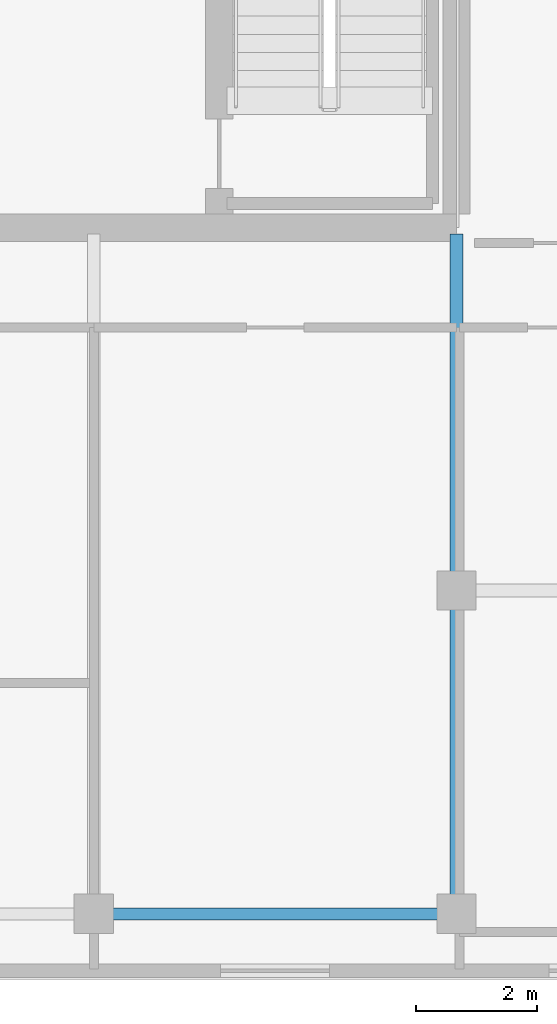
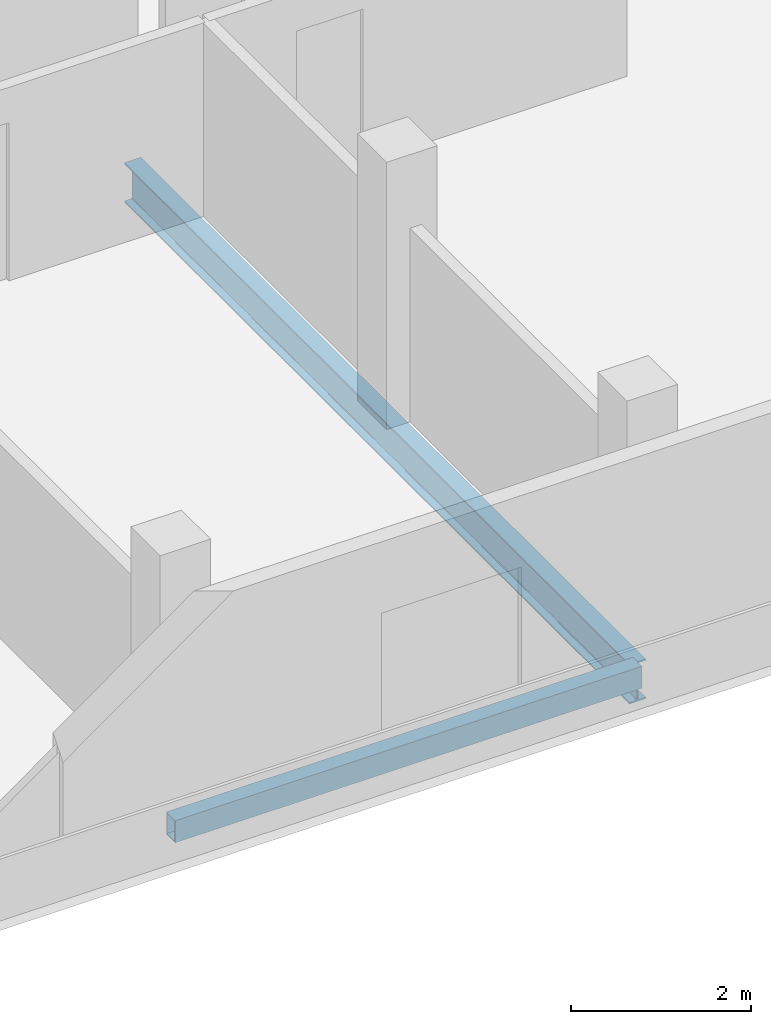
# One storey, part 15 of 28: 2 beams.
"""IFC4 building model written with IfcOpenShell, lengths in metres."""

from ifc_helpers import new_model, si_unit, direction, frame, origin, origin_2d, place, context, subcontext, project, spatial, hollow_rectangle, i_section, extrude, material, material_profile, profile_set, type_object, element, save


model = new_model("IFC4")

# Units and contexts
model_context = context("Model", 3, precision=1e-05, world=origin(), true_north=direction((0.0, 1.0)))
body_context = subcontext(model_context, "Body", "Model", "MODEL_VIEW")
ifc_project = project(units=[si_unit("LENGTHUNIT", "METRE"), si_unit("AREAUNIT", "SQUARE_METRE"), si_unit("VOLUMEUNIT", "CUBIC_METRE"), si_unit("PLANEANGLEUNIT", "RADIAN"), si_unit("MASSUNIT", "GRAM", prefix="KILO")], contexts=[model_context])

# Site, building, storey
site_placement = place(None, origin())
site = spatial("IfcSite", under=ifc_project, at=site_placement, CompositionType="ELEMENT")
building_placement = place(site_placement, origin())
building = spatial("IfcBuilding", under=site, at=building_placement, Name="Tanjung Sevakor Pilgrim Tower", CompositionType="ELEMENT")
storey_placement = place(building_placement, frame((0.0, 0.0, 246.179931640625)))
storey = spatial("IfcBuildingStorey", under=building, at=storey_placement, Name="L69", CompositionType="ELEMENT", Elevation=246.179931640625)

# Beams
ifc_material_1 = material(Name="Steel S355J2", Category="steel")
ifc_material_profile_1 = material_profile(ifc_material_1, i_section(OverallWidth=0.210693359375, OverallDepth=0.53955078125, WebThickness=0.01171875, FlangeThickness=0.018798828125, FilletRadius=0.0126953125, at=origin_2d()))
ifc_profile_set_1 = profile_set([ifc_material_profile_1], Name="Steel S355J2")
beam_type_1 = type_object("IfcBeamType", Name="BM-B-G6-UB_533x210x109", PredefinedType="BEAM", material=ifc_profile_set_1)
beam_1_placement = place(storey_placement, frame((90.0, 13.25, -0.48974609375), z_axis=(0.0, 1.0, 0.0), x_axis=(-1.0, 0.0, 0.0)))
element("IfcBeam", 1, at=beam_1_placement, inside=storey, type_object=beam_type_1, Name="L69 EAST Girder 009", PredefinedType="BEAM", context=body_context, shape_type="SweptSolid", body=[
    extrude(i_section(OverallWidth=0.210693359375, OverallDepth=0.53955078125, WebThickness=0.01171875, FlangeThickness=0.018798828125, FilletRadius=0.0126953125, at=origin_2d()), origin(), (0.0, 0.0, 1.0), 11.243896484375),
])
ifc_material_2 = material(Name="Steel S355J2", Category="steel")
ifc_material_profile_2 = material_profile(ifc_material_2, hollow_rectangle(XDim=0.199951171875, YDim=0.300048828125, WallThickness=0.012451171875, at=origin_2d()))
ifc_profile_set_2 = profile_set([ifc_material_profile_2], Name="Steel S355J2")
beam_type_2 = type_object("IfcBeamType", Name="BM-B-SP3-RHS_300x200x12.5", PredefinedType="SPANDREL", material=ifc_profile_set_2)
beam_2_placement = place(storey_placement, frame((84.0, 13.25, -0.369873046875), z_axis=(1.0, 0.0, 0.0), x_axis=(0.0, 1.0, 0.0)))
element("IfcBeam", 2, at=beam_2_placement, inside=storey, type_object=beam_type_2, Name="L69 Spandrel EAST S-05", PredefinedType="SPANDREL", context=body_context, shape_type="SweptSolid", body=[
    extrude(hollow_rectangle(XDim=0.199951171875, YDim=0.300048828125, WallThickness=0.012451171875, at=origin_2d()), origin(), (0.0, 0.0, 1.0), 6.0),
])

save(model, "model.ifc")
